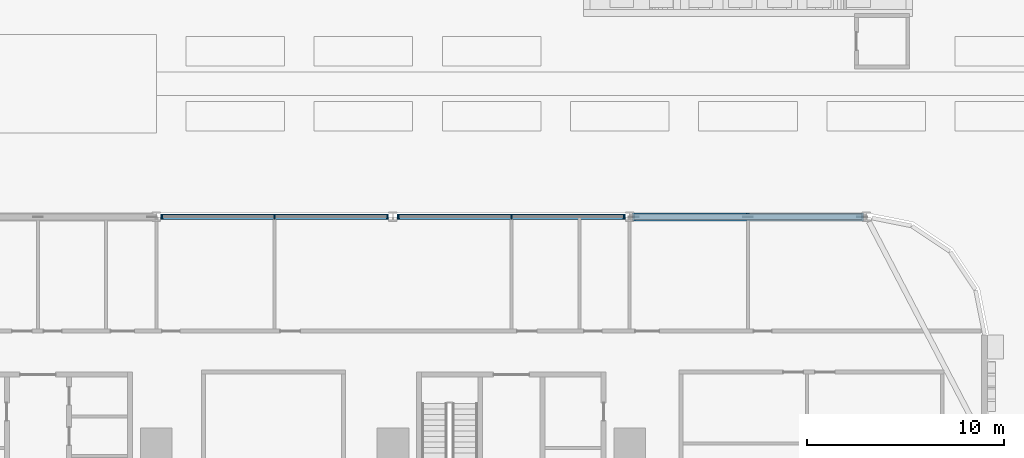
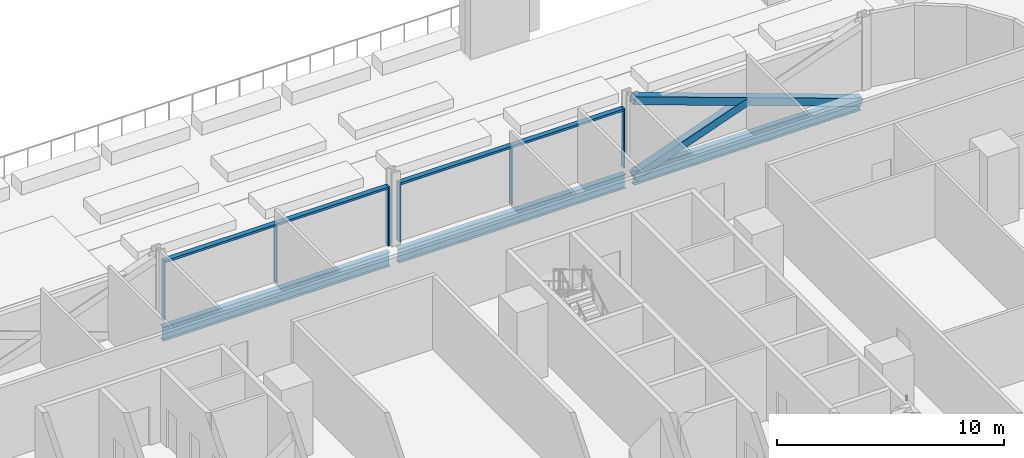
# One storey, part 8 of 39: 12 members, 3 beams, 2 elements without a shape of their own.
"""IFC4 building model written with IfcOpenShell, lengths in metres."""

from ifc_helpers import new_model, si_unit, direction, frame, origin, origin_2d, place, context, subcontext, project, spatial, rectangle, hollow_rectangle, i_section, extrude, material, material_profile, profile_set, type_object, element, aggregate, save


model = new_model("IFC4")

# Units and contexts
model_context = context("Model", 3, precision=1e-05, world=origin(), true_north=direction((0.0, 1.0)))
body_context = subcontext(model_context, "Body", "Model", "MODEL_VIEW")
ifc_project = project(units=[si_unit("LENGTHUNIT", "METRE"), si_unit("AREAUNIT", "SQUARE_METRE"), si_unit("VOLUMEUNIT", "CUBIC_METRE"), si_unit("PLANEANGLEUNIT", "RADIAN"), si_unit("MASSUNIT", "GRAM", prefix="KILO")], contexts=[model_context])

# Site, building, storey
site_placement = place(None, origin())
site = spatial("IfcSite", under=ifc_project, at=site_placement, CompositionType="ELEMENT")
building_placement = place(site_placement, origin())
building = spatial("IfcBuilding", under=site, at=building_placement, Name="Mahtab Terrace Research Tower", CompositionType="ELEMENT")
storey_placement = place(building_placement, frame((0.0, 0.0, 7.199951171875)))
storey = spatial("IfcBuildingStorey", under=building, at=storey_placement, Name="L01", CompositionType="ELEMENT", Elevation=7.199951171875)

# Members
ifc_material_1 = material(Name="Steel ASTM A500 Gr C", Category="steel")
ifc_material_profile_1 = material_profile(ifc_material_1, hollow_rectangle(XDim=0.406494140625, YDim=0.406494140625, WallThickness=0.01904296875, at=origin_2d()), Name="HSS16X16X3/4")
ifc_profile_set_1 = profile_set([ifc_material_profile_1], Name="Steel ASTM A500 Gr C")
member_type_1 = type_object("IfcMemberType", Name="HSS 16x16x3/4 brace XB161634", PredefinedType="BRACE", material=ifc_profile_set_1)
member_1_placement = place(storey_placement, frame((41.7841796875, 23.0, -0.64111328125), z_axis=(-0.941388097231, 0.0, 0.337325436917), x_axis=(0.0, -1.0, 0.0)))
element("IfcMember", 1, at=member_1_placement, inside=storey, type_object=member_type_1, Name="Exoskeleton brace L01 01 a", PredefinedType="BRACE", context=body_context, shape_type="SweptSolid", body=[
    extrude(hollow_rectangle(XDim=0.406494140625, YDim=0.406494140625, WallThickness=0.01904296875, at=origin_2d()), origin(), (0.0, 0.0, 1.0), 12.28857421875),
])
member_2_placement = place(storey_placement, frame((30.2158203125, 23.0, -0.64111328125), z_axis=(0.941381788192, 0.0, 0.337343043295), x_axis=(0.0, 1.0, 0.0)))
element("IfcMember", 2, at=member_2_placement, inside=storey, type_object=member_type_1, Name="Exoskeleton brace L01 01 b1", PredefinedType="BRACE", context=body_context, shape_type="SweptSolid", body=[
    extrude(hollow_rectangle(XDim=0.406494140625, YDim=0.406494140625, WallThickness=0.01904296875, at=origin_2d()), origin(), (0.0, 0.0, 1.0), 6.144287109375),
])

# Curtain wall, members
ifc_material_2 = material(Name="Sky lounge full-height curtain wall")
curtain_wall_type = type_object("IfcCurtainWallType", Name="Sky lounge full-height curtain wall", PredefinedType="NOTDEFINED", material=ifc_material_2)
curtain_wall_1_placement = place(storey_placement, origin())
curtain_wall_1 = element("IfcCurtainWall", 3, at=curtain_wall_1_placement, inside=storey, type_object=curtain_wall_type, Name="EN.L01.3.4", PredefinedType="NOTDEFINED")
ifc_material_3 = material(Name="Natural anodised aluminium", Category="aluminium")
ifc_material_profile_2 = material_profile(ifc_material_3, rectangle(XDim=0.25, YDim=0.070068359375, at=origin_2d()), Name="MULLION 70x250")
ifc_profile_set_2 = profile_set([ifc_material_profile_2], Name="Natural anodised aluminium")
member_type_2 = type_object("IfcMemberType", Name="Sky lounge full-height curtain wall mullion", PredefinedType="MULLION", material=ifc_profile_set_2)
member_3_placement = place(storey_placement, frame((29.716064453125, 23.0, 0.0), z_axis=(0.0, 0.0, 1.0), x_axis=(0.0, -1.0, 0.0)))
member_3 = element("IfcMember", 4, at=member_3_placement, type_object=member_type_2, Name="CWS-1 mullion 1", PredefinedType="MULLION", context=body_context, shape_type="SweptSolid", body=[
    extrude(rectangle(XDim=0.25, YDim=0.070068359375, at=origin_2d()), origin(), (0.0, 0.0, 1.0), 3.203125),
])
member_4_placement = place(storey_placement, frame((24.0, 23.0, 0.0), z_axis=(0.0, 0.0, 1.0), x_axis=(0.0, -1.0, 0.0)))
member_4 = element("IfcMember", 5, at=member_4_placement, type_object=member_type_2, Name="CWS-1 mullion 2", PredefinedType="MULLION", context=body_context, shape_type="SweptSolid", body=[
    extrude(rectangle(XDim=0.25, YDim=0.070068359375, at=origin_2d()), origin(), (0.0, 0.0, 1.0), 3.203125),
])
member_5_placement = place(storey_placement, frame((18.283935546875, 23.0, 0.0), z_axis=(0.0, 0.0, 1.0), x_axis=(0.0, -1.0, 0.0)))
member_5 = element("IfcMember", 6, at=member_5_placement, type_object=member_type_2, Name="CWS-1 mullion 3", PredefinedType="MULLION", context=body_context, shape_type="SweptSolid", body=[
    extrude(rectangle(XDim=0.25, YDim=0.070068359375, at=origin_2d()), origin(), (0.0, 0.0, 1.0), 3.203125),
])

curtain_wall_2_placement = place(storey_placement, origin())
curtain_wall_2 = element("IfcCurtainWall", 7, at=curtain_wall_2_placement, inside=storey, type_object=curtain_wall_type, Name="EN.L01.3.5", PredefinedType="NOTDEFINED")
member_6_placement = place(storey_placement, frame((17.716064453125, 23.0, 0.0), z_axis=(0.0, 0.0, 1.0), x_axis=(0.0, -1.0, 0.0)))
member_6 = element("IfcMember", 8, at=member_6_placement, type_object=member_type_2, Name="CWS-1 mullion 1", PredefinedType="MULLION", context=body_context, shape_type="SweptSolid", body=[
    extrude(rectangle(XDim=0.25, YDim=0.070068359375, at=origin_2d()), origin(), (0.0, 0.0, 1.0), 3.203125),
])
member_7_placement = place(storey_placement, frame((12.0, 23.0, 0.0), z_axis=(0.0, 0.0, 1.0), x_axis=(0.0, -1.0, 0.0)))
member_7 = element("IfcMember", 9, at=member_7_placement, type_object=member_type_2, Name="CWS-1 mullion 2", PredefinedType="MULLION", context=body_context, shape_type="SweptSolid", body=[
    extrude(rectangle(XDim=0.25, YDim=0.070068359375, at=origin_2d()), origin(), (0.0, 0.0, 1.0), 3.203125),
])
member_8_placement = place(storey_placement, frame((6.283935546875, 23.0, 0.0), z_axis=(0.0, 0.0, 1.0), x_axis=(0.0, -1.0, 0.0)))
member_8 = element("IfcMember", 10, at=member_8_placement, type_object=member_type_2, Name="CWS-1 mullion 3", PredefinedType="MULLION", context=body_context, shape_type="SweptSolid", body=[
    extrude(rectangle(XDim=0.25, YDim=0.070068359375, at=origin_2d()), origin(), (0.0, 0.0, 1.0), 3.203125),
])

# Member
ifc_material_profile_3 = material_profile(ifc_material_3, rectangle(XDim=0.25, YDim=0.1201171875, at=origin_2d()), Name="TRANSOM 120x250")
ifc_profile_set_3 = profile_set([ifc_material_profile_3], Name="Natural anodised aluminium")
member_type_3 = type_object("IfcMemberType", Name="Sky lounge full-height curtain wall transom", PredefinedType="USERDEFINED", material=ifc_profile_set_3)
member_9_placement = place(storey_placement, frame((29.680908203125, 23.0, 3.14306640625), z_axis=(-1.0, 0.0, 0.0), x_axis=(0.0, -1.0, 0.0)))
member_9 = element("IfcMember", 11, at=member_9_placement, type_object=member_type_3, Name="CWS-1 transom 1", ObjectType="TRANSOM", PredefinedType="USERDEFINED", context=body_context, shape_type="SweptSolid", body=[
    extrude(rectangle(XDim=0.25, YDim=0.1201171875, at=origin_2d()), origin(), (0.0, 0.0, 1.0), 5.64599609375),
])

member_10_placement = place(storey_placement, frame((23.965087890625, 23.0, 3.14306640625), z_axis=(-1.0, 0.0, 0.0), x_axis=(0.0, -1.0, 0.0)))
member_10 = element("IfcMember", 12, at=member_10_placement, type_object=member_type_3, Name="CWS-1 transom 2", ObjectType="TRANSOM", PredefinedType="USERDEFINED", context=body_context, shape_type="SweptSolid", body=[
    extrude(rectangle(XDim=0.25, YDim=0.1201171875, at=origin_2d()), origin(), (0.0, 0.0, 1.0), 5.64599609375),
])

aggregate(curtain_wall_1, [member_3, member_4, member_5, member_9, member_10])

member_11_placement = place(storey_placement, frame((17.680908203125, 23.0, 3.14306640625), z_axis=(-1.0, 0.0, 0.0), x_axis=(0.0, -1.0, 0.0)))
member_11 = element("IfcMember", 13, at=member_11_placement, type_object=member_type_3, Name="CWS-1 transom 1", ObjectType="TRANSOM", PredefinedType="USERDEFINED", context=body_context, shape_type="SweptSolid", body=[
    extrude(rectangle(XDim=0.25, YDim=0.1201171875, at=origin_2d()), origin(), (0.0, 0.0, 1.0), 5.64599609375),
])

member_12_placement = place(storey_placement, frame((11.965087890625, 23.0, 3.14306640625), z_axis=(-1.0, 0.0, 0.0), x_axis=(0.0, -1.0, 0.0)))
member_12 = element("IfcMember", 14, at=member_12_placement, type_object=member_type_3, Name="CWS-1 transom 2", ObjectType="TRANSOM", PredefinedType="USERDEFINED", context=body_context, shape_type="SweptSolid", body=[
    extrude(rectangle(XDim=0.25, YDim=0.1201171875, at=origin_2d()), origin(), (0.0, 0.0, 1.0), 5.64599609375),
])

aggregate(curtain_wall_2, [member_6, member_7, member_8, member_11, member_12])

# Beams
ifc_material_4 = material(Name="Steel ASTM A992 Gr 50", Category="steel")
ifc_material_profile_4 = material_profile(ifc_material_4, i_section(OverallWidth=0.2666015625, OverallDepth=0.7568359375, WebThickness=0.013916015625, FlangeThickness=0.019287109375, at=origin_2d()), Name="W30X108")
ifc_profile_set_4 = profile_set([ifc_material_profile_4], Name="Steel ASTM A992 Gr 50")
beam_type = type_object("IfcBeamType", Name="W30x108 beam BS30108", PredefinedType="BEAM", material=ifc_profile_set_4)
for number, where, z_axis, x_axis, name in (
    (15, (41.7841796875, 23.0, -0.718505859375), (-1.0, 0.0, 0.0), (0.0, -1.0, 0.0), "Spandrel beam L01 01"),
    (16, (29.7841796875, 23.0, -0.718505859375), (-1.0, 0.0, 0.0), (0.0, -1.0, 0.0), "Spandrel beam L01 02"),
    (17, (17.7841796875, 23.0, -0.718505859375), (-1.0, 0.0, 0.0), (0.0, -1.0, 0.0), "Spandrel beam L01 03"),
):
    element("IfcBeam", number, at=place(storey_placement, frame(where, z_axis=z_axis, x_axis=x_axis)), inside=storey, type_object=beam_type, Name=name, PredefinedType="BEAM", context=body_context, shape_type="SweptSolid", body=[
        extrude(i_section(OverallWidth=0.2666015625, OverallDepth=0.7568359375, WebThickness=0.013916015625, FlangeThickness=0.019287109375, at=origin_2d()), origin(), (0.0, 0.0, 1.0), 11.568359375),
    ])

save(model, "model.ifc")
